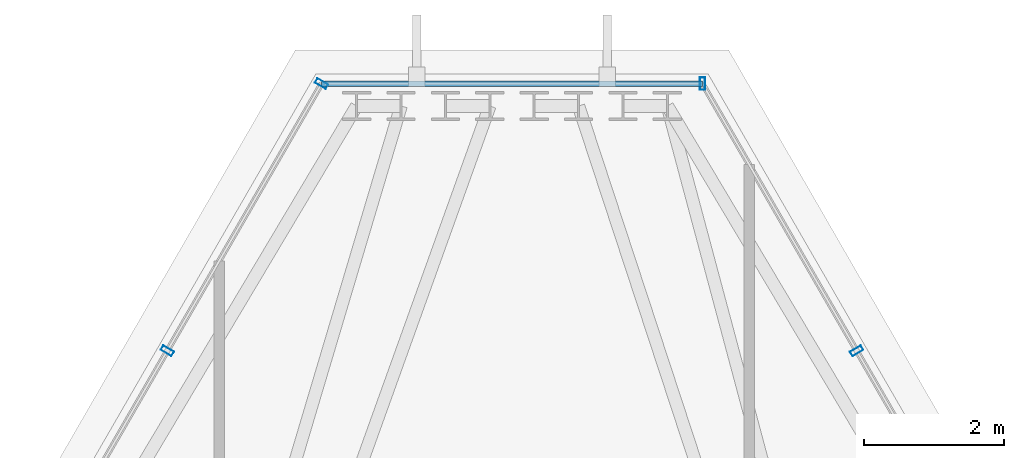
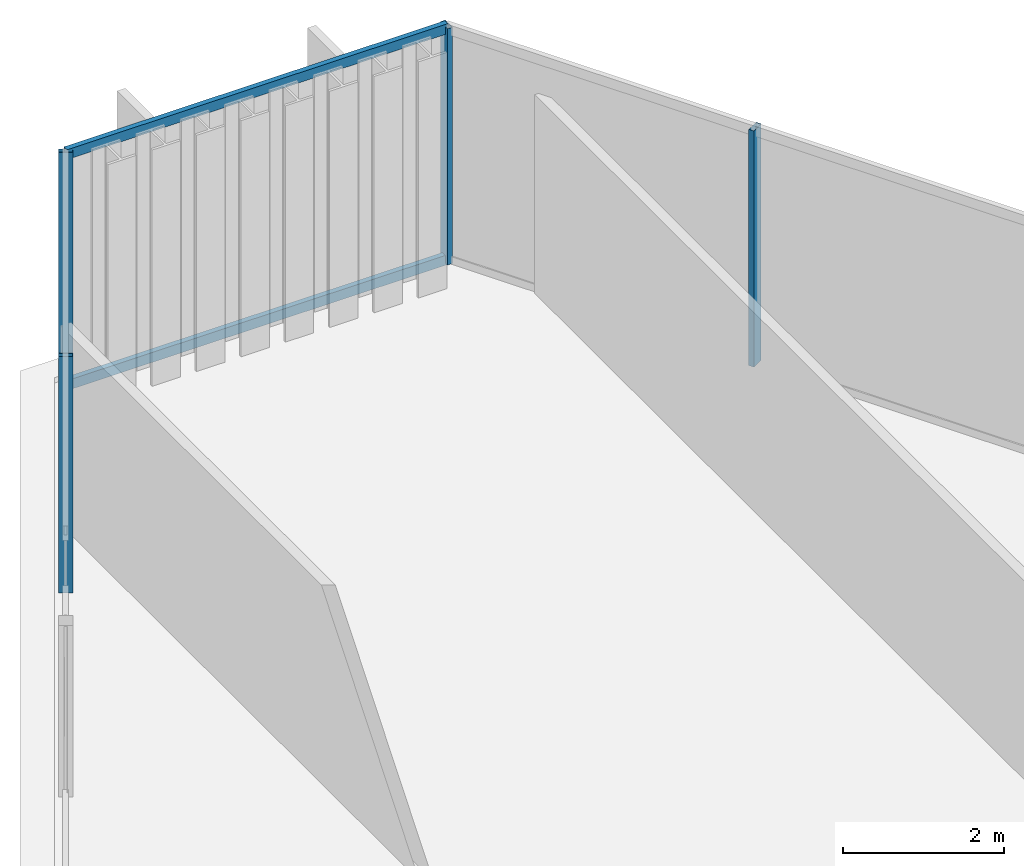
# One storey, part 27 of 34: 6 members, 3 elements without a shape of their own.
"""IFC4 building model written with IfcOpenShell, lengths in metres."""

from ifc_helpers import new_model, si_unit, direction, frame, origin, origin_2d, place, context, subcontext, project, spatial, hollow_rectangle, extrude, material, layer, layer_set, material_profile, profile_set, type_object, element, aggregate, save


model = new_model("IFC4")

# Units and contexts
model_context = context("Model", 3, precision=1e-05, world=origin(), true_north=direction((0.0, 1.0)))
body_context = subcontext(model_context, "Body", "Model", "MODEL_VIEW")
ifc_project = project(units=[si_unit("LENGTHUNIT", "METRE"), si_unit("AREAUNIT", "SQUARE_METRE"), si_unit("VOLUMEUNIT", "CUBIC_METRE"), si_unit("PLANEANGLEUNIT", "RADIAN"), si_unit("MASSUNIT", "GRAM", prefix="KILO")], contexts=[model_context])

# Site, building, storey
site_placement = place(None, origin())
site = spatial("IfcSite", under=ifc_project, at=site_placement, CompositionType="ELEMENT")
building_placement = place(site_placement, origin())
building = spatial("IfcBuilding", under=site, at=building_placement, Name="Ndaravel Arena Tower", CompositionType="ELEMENT")
storey_placement = place(building_placement, frame((0.0, 0.0, 263.60009765625)))
storey = spatial("IfcBuildingStorey", under=building, at=storey_placement, Name="L64", CompositionType="ELEMENT", Elevation=263.60009765625)

# Curtain wall, member
ifc_material_1 = material(Name="Aluminium", Category="aluminium")
ifc_layer_1 = layer(ifc_material_1, 0.179931640625)
ifc_layer_set_1 = layer_set([ifc_layer_1], Name="Aluminium")
curtain_wall_type_1 = type_object("IfcCurtainWallType", Name="CW-SYS-03", PredefinedType="NOTDEFINED", material=ifc_layer_set_1)
curtain_wall_1_placement = place(storey_placement, origin())
curtain_wall_1 = element("IfcCurtainWall", 1, at=curtain_wall_1_placement, inside=storey, type_object=curtain_wall_type_1, Name="L64 Faceted Crystal Curtain Wall CW-L64-E03", PredefinedType="NOTDEFINED")
ifc_material_2 = material(Name="Aluminium", Category="aluminium")
ifc_material_profile_1 = material_profile(ifc_material_2, hollow_rectangle(XDim=0.074951171875, YDim=0.179931640625, WallThickness=0.00390625, at=origin_2d()), Name="CW MULLION 75x180x4")
ifc_profile_set_1 = profile_set([ifc_material_profile_1], Name="Aluminium")
member_type_1 = type_object("IfcMemberType", Name="MEM-CW-MUL180", PredefinedType="MULLION", material=ifc_profile_set_1)
member_1_placement = place(storey_placement, frame((46.94140625, 40.5283203125, 0.0), z_axis=(0.0, 0.0, 1.0), x_axis=(-0.5, 0.866025403784, 0.0)))
member_1 = element("IfcMember", 2, at=member_1_placement, type_object=member_type_1, Name="CW-L64-E03 Mullion 08", PredefinedType="MULLION", context=body_context, shape_type="SweptSolid", body=[
    extrude(hollow_rectangle(XDim=0.074951171875, YDim=0.179931640625, WallThickness=0.00390625, at=origin_2d()), origin(), (0.0, 0.0, 1.0), 3.579833984375),
])
aggregate(curtain_wall_1, [member_1])

ifc_material_3 = material(Name="Aluminium", Category="aluminium")
ifc_layer_2 = layer(ifc_material_3, 0.179931640625)
ifc_layer_set_2 = layer_set([ifc_layer_2], Name="Aluminium")
curtain_wall_type_2 = type_object("IfcCurtainWallType", Name="CW-SYS-01", PredefinedType="NOTDEFINED", material=ifc_layer_set_2)
curtain_wall_2_placement = place(storey_placement, origin())
curtain_wall_2 = element("IfcCurtainWall", 3, at=curtain_wall_2_placement, inside=storey, type_object=curtain_wall_type_2, Name="L64 Faceted Crystal Curtain Wall CW-L64-E04", PredefinedType="NOTDEFINED")
member_2_placement = place(storey_placement, frame((44.730224609375, 44.3583984375, 0.0), z_axis=(0.0, 0.0, 1.0), x_axis=(-1.0, 0.0, 0.0)))
member_2 = element("IfcMember", 4, at=member_2_placement, type_object=member_type_1, Name="CW-L64-E04 Mullion 00", PredefinedType="MULLION", context=body_context, shape_type="SweptSolid", body=[
    extrude(hollow_rectangle(XDim=0.074951171875, YDim=0.179931640625, WallThickness=0.00390625, at=origin_2d()), origin(), (0.0, 0.0, 1.0), 3.579833984375),
])

# Curtain wall, members
curtain_wall_3_placement = place(storey_placement, origin())
curtain_wall_3 = element("IfcCurtainWall", 5, at=curtain_wall_3_placement, inside=storey, type_object=curtain_wall_type_1, Name="L64 Faceted Crystal Curtain Wall CW-L64-E05", PredefinedType="NOTDEFINED")
member_3_placement = place(storey_placement, frame((39.269775390625, 44.3583984375, 0.0), z_axis=(0.0, 0.0, 1.0), x_axis=(-0.5, -0.866025403784, 0.0)))
member_3 = element("IfcMember", 6, at=member_3_placement, type_object=member_type_1, Name="CW-L64-E05 Mullion 00", PredefinedType="MULLION", context=body_context, shape_type="SweptSolid", body=[
    extrude(hollow_rectangle(XDim=0.074951171875, YDim=0.179931640625, WallThickness=0.00390625, at=origin_2d()), origin(), (0.0, 0.0, 1.0), 3.579833984375),
])
member_4_placement = place(storey_placement, frame((37.05859375, 40.5283203125, 0.0), z_axis=(0.0, 0.0, 1.0), x_axis=(-0.5, -0.866025403784, 0.0)))
member_4 = element("IfcMember", 7, at=member_4_placement, type_object=member_type_1, Name="CW-L64-E05 Mullion 01", PredefinedType="MULLION", context=body_context, shape_type="SweptSolid", body=[
    extrude(hollow_rectangle(XDim=0.074951171875, YDim=0.179931640625, WallThickness=0.00390625, at=origin_2d()), origin(), (0.0, 0.0, 1.0), 3.579833984375),
])
aggregate(curtain_wall_3, [member_3, member_4])

# Member
ifc_material_4 = material(Name="Aluminium", Category="aluminium")
ifc_material_profile_2 = material_profile(ifc_material_4, hollow_rectangle(XDim=0.074951171875, YDim=0.14990234375, WallThickness=0.00390625, at=origin_2d()), Name="CW TRANSOM 75x150x4")
ifc_profile_set_2 = profile_set([ifc_material_profile_2], Name="Aluminium")
member_type_2 = type_object("IfcMemberType", Name="MEM-CW-TRN150", PredefinedType="USERDEFINED", material=ifc_profile_set_2)
member_5_placement = place(storey_placement, frame((44.730224609375, 44.3583984375, 0.039794921875), z_axis=(-1.0, 0.0, 0.0), x_axis=(0.0, -1.0, 0.0)))
member_5 = element("IfcMember", 8, at=member_5_placement, type_object=member_type_2, Name="CW-L64-E04 Transom 01", ObjectType="TRANSOM", PredefinedType="USERDEFINED", context=body_context, shape_type="SweptSolid", body=[
    extrude(hollow_rectangle(XDim=0.074951171875, YDim=0.14990234375, WallThickness=0.00390625, at=origin_2d()), origin(), (0.0, 0.0, 1.0), 5.46044921875),
])

member_6_placement = place(storey_placement, frame((44.730224609375, 44.3583984375, 3.539794921875), z_axis=(-1.0, 0.0, 0.0), x_axis=(0.0, -1.0, 0.0)))
member_6 = element("IfcMember", 9, at=member_6_placement, type_object=member_type_2, Name="CW-L64-E04 Transom 02", ObjectType="TRANSOM", PredefinedType="USERDEFINED", context=body_context, shape_type="SweptSolid", body=[
    extrude(hollow_rectangle(XDim=0.074951171875, YDim=0.14990234375, WallThickness=0.00390625, at=origin_2d()), origin(), (0.0, 0.0, 1.0), 5.46044921875),
])

aggregate(curtain_wall_2, [member_2, member_5, member_6])

save(model, "model.ifc")
